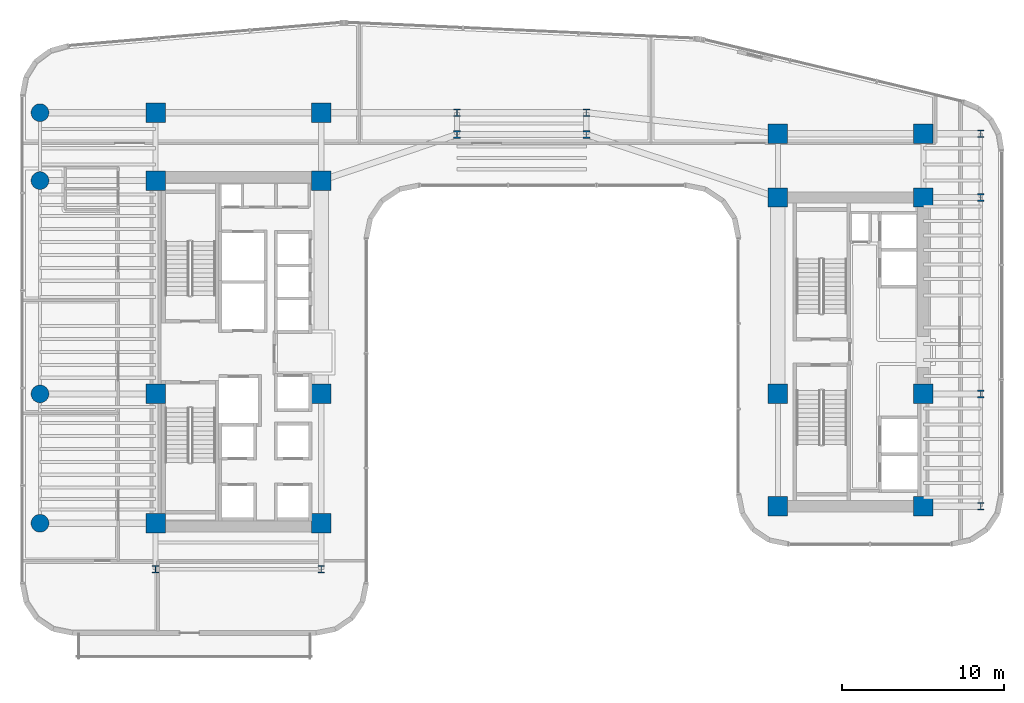
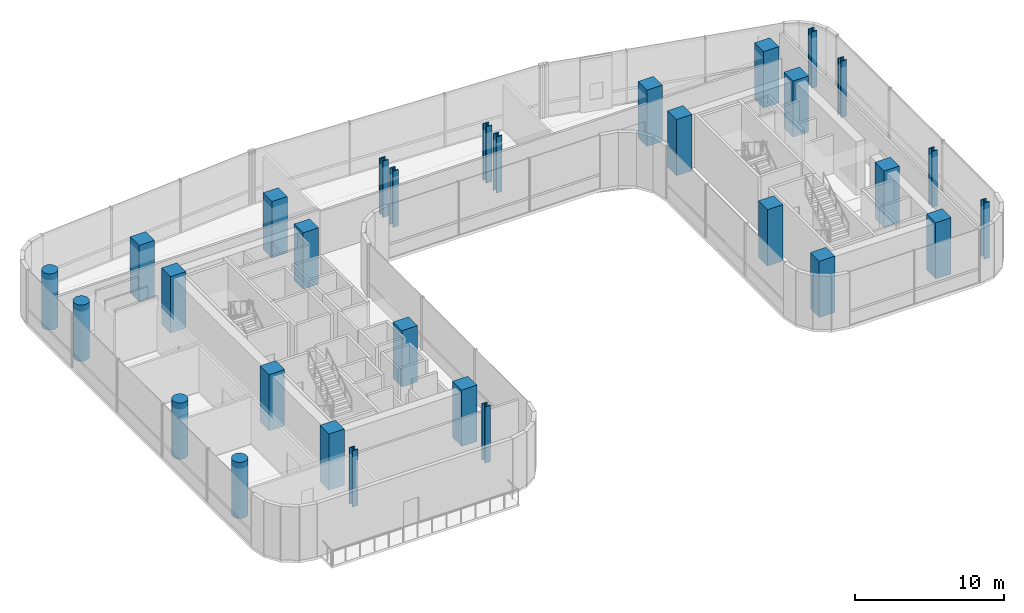
# One storey, part 1 of 32: 30 columns.
"""IFC4 building model written with IfcOpenShell, lengths in metres."""

from ifc_helpers import new_model, si_unit, direction, frame, origin, origin_2d, place, context, subcontext, project, spatial, rectangle, circle, i_section, extrude, source, transform, mapped, material, material_profile, profile_set, type_object, element, save


model = new_model("IFC4")

# Units and contexts
model_context = context("Model", 3, precision=1e-05, world=origin(), true_north=direction((0.0, 1.0)))
body_context = subcontext(model_context, "Body", "Model", "MODEL_VIEW")
ifc_project = project(units=[si_unit("LENGTHUNIT", "METRE"), si_unit("AREAUNIT", "SQUARE_METRE"), si_unit("VOLUMEUNIT", "CUBIC_METRE"), si_unit("PLANEANGLEUNIT", "RADIAN"), si_unit("MASSUNIT", "GRAM", prefix="KILO")], contexts=[model_context])

# Site, building, storey
site_placement = place(None, origin())
site = spatial("IfcSite", under=ifc_project, at=site_placement, CompositionType="ELEMENT")
building_placement = place(site_placement, origin())
building = spatial("IfcBuilding", under=site, at=building_placement, Name="Valdorenza Pilgrim Sanctuary Tower", CompositionType="ELEMENT")
storey_placement = place(building_placement, frame((0.0, 0.0, 101.10009765625)))
storey = spatial("IfcBuildingStorey", under=building, at=storey_placement, Name="L25", CompositionType="ELEMENT", Elevation=101.10009765625)

# Columns
ifc_material_1 = material(Name="Concrete C50/60", Category="concrete")
ifc_material_profile_1 = material_profile(ifc_material_1, circle(Radius=0.550048828125, at=origin_2d()), Name="RC D1100")
ifc_profile_set_1 = profile_set([ifc_material_profile_1], Name="Concrete C50/60")
column_type_1 = type_object("IfcColumnType", Name="COL-RND-1100", PredefinedType="COLUMN", material=ifc_profile_set_1)
shared_shape_1 = source(origin(), body_context, "Body", "SweptSolid", [
    extrude(circle(Radius=0.550048828125, at=origin_2d()), origin(), (0.0, 0.0, 1.0), 4.599853515625),
])
for number, where, z_axis, x_axis, name in (
    (1, (-29.800048828125, -10.60009765625, 0.0), (0.0, 0.0, 1.0), (1.0, 0.0, 0.0), "L25 Perimeter Column WA-W-S1"),
    (2, (-29.800048828125, -2.60009765625, 0.0), (0.0, 0.0, 1.0), (1.0, 0.0, 0.0), "L25 Perimeter Column WA-W-M0"),
    (3, (-29.800048828125, 10.60009765625, 0.0), (0.0, 0.0, 1.0), (1.0, 0.0, 0.0), "L25 Perimeter Column WA-W-N1"),
    (4, (-29.800048828125, 14.800048828125, 0.0), (0.0, 0.0, 1.0), (1.0, 0.0, 0.0), "L25 Perimeter Column WA-W-N2"),
):
    element("IfcColumn", number, at=place(storey_placement, frame(where, z_axis=z_axis, x_axis=x_axis)), inside=storey, type_object=column_type_1, Name=name, PredefinedType="COLUMN", context=body_context, shape_type="MappedRepresentation", body=[
        mapped(shared_shape_1, transform((0.0, 0.0, 0.0), x_axis=(1.0, 0.0, 0.0), y_axis=(0.0, 1.0, 0.0), z_axis=(0.0, 0.0, 1.0), scale=1.0)),
    ])
ifc_material_2 = material(Name="Concrete C60/75", Category="concrete")
ifc_material_profile_2 = material_profile(ifc_material_2, rectangle(XDim=1.199951171875, YDim=1.199951171875, at=origin_2d()), Name="RC 1200x1200")
ifc_profile_set_2 = profile_set([ifc_material_profile_2], Name="Concrete C60/75")
column_type_2 = type_object("IfcColumnType", Name="COL-Z2-1200", PredefinedType="COLUMN", material=ifc_profile_set_2)
shared_shape_2 = source(origin(), body_context, "Body", "SweptSolid", [
    extrude(rectangle(XDim=1.199951171875, YDim=1.199951171875, at=origin_2d()), origin(), (0.0, 0.0, 1.0), 4.599853515625),
])
for number, where, z_axis, x_axis, name in (
    (5, (-22.64990234375, -10.60009765625, 0.0), (0.0, 0.0, 1.0), (1.0, 0.0, 0.0), "L25 Column CA-W-S1"),
    (6, (-12.39990234375, -10.60009765625, 0.0), (0.0, 0.0, 1.0), (1.0, 0.0, 0.0), "L25 Column CA-E-S1"),
    (7, (-22.64990234375, -2.60009765625, 0.0), (0.0, 0.0, 1.0), (1.0, 0.0, 0.0), "L25 Column CA-W-M0"),
    (8, (-12.39990234375, -2.60009765625, 0.0), (0.0, 0.0, 1.0), (1.0, 0.0, 0.0), "L25 Column CA-E-M0"),
    (9, (-22.64990234375, 10.60009765625, 0.0), (0.0, 0.0, 1.0), (1.0, 0.0, 0.0), "L25 Column CA-W-N1"),
    (10, (-12.39990234375, 10.60009765625, 0.0), (0.0, 0.0, 1.0), (1.0, 0.0, 0.0), "L25 Column CA-E-N1"),
    (11, (-22.64990234375, 14.800048828125, 0.0), (0.0, 0.0, 1.0), (1.0, 0.0, 0.0), "L25 Column CA-W-N2"),
    (12, (-12.39990234375, 14.800048828125, 0.0), (0.0, 0.0, 1.0), (1.0, 0.0, 0.0), "L25 Column CA-E-N2"),
    (13, (15.85009765625, -9.550048828125, 0.0), (0.0, 0.0, 1.0), (1.0, 0.0, 0.0), "L25 Column CB-W-S1"),
    (14, (24.85009765625, -9.550048828125, 0.0), (0.0, 0.0, 1.0), (1.0, 0.0, 0.0), "L25 Column CB-E-S1"),
    (15, (15.85009765625, -2.60009765625, 0.0), (0.0, 0.0, 1.0), (1.0, 0.0, 0.0), "L25 Column CB-W-M0"),
    (16, (24.85009765625, -2.60009765625, 0.0), (0.0, 0.0, 1.0), (1.0, 0.0, 0.0), "L25 Column CB-E-M0"),
    (17, (15.85009765625, 9.550048828125, 0.0), (0.0, 0.0, 1.0), (1.0, 0.0, 0.0), "L25 Column CB-W-N1"),
    (18, (24.85009765625, 9.550048828125, 0.0), (0.0, 0.0, 1.0), (1.0, 0.0, 0.0), "L25 Column CB-E-N1"),
    (19, (15.85009765625, 13.5, 0.0), (0.0, 0.0, 1.0), (1.0, 0.0, 0.0), "L25 Column CB-W-N2"),
    (20, (24.85009765625, 13.5, 0.0), (0.0, 0.0, 1.0), (1.0, 0.0, 0.0), "L25 Column CB-E-N2"),
):
    element("IfcColumn", number, at=place(storey_placement, frame(where, z_axis=z_axis, x_axis=x_axis)), inside=storey, type_object=column_type_2, Name=name, PredefinedType="COLUMN", context=body_context, shape_type="MappedRepresentation", body=[
        mapped(shared_shape_2, transform((0.0, 0.0, 0.0), x_axis=(1.0, 0.0, 0.0), y_axis=(0.0, 1.0, 0.0), z_axis=(0.0, 0.0, 1.0), scale=1.0)),
    ])
ifc_material_3 = material(Name="Steel ASTM A992 Grade 50", Category="steel")
ifc_material_profile_3 = material_profile(ifc_material_3, i_section(OverallWidth=0.424072265625, OverallDepth=0.47412109375, WebThickness=0.047607421875, FlangeThickness=0.0771484375, at=origin_2d()), Name="W14X426")
ifc_profile_set_3 = profile_set([ifc_material_profile_3], Name="Steel ASTM A992 Grade 50")
column_type_3 = type_object("IfcColumnType", Name="COL-STL-W426", PredefinedType="COLUMN", material=ifc_profile_set_3)
shared_shape_3 = source(origin(), body_context, "Body", "SweptSolid", [
    extrude(i_section(OverallWidth=0.424072265625, OverallDepth=0.47412109375, WebThickness=0.047607421875, FlangeThickness=0.0771484375, at=origin_2d()), origin(), (0.0, 0.0, 1.0), 4.599853515625),
])
for number, where, z_axis, x_axis, name in (
    (21, (-22.64990234375, -13.449951171875, 0.0), (0.0, 0.0, 1.0), (1.0, 0.0, 0.0), "L25 Column WA-S-W"),
    (22, (-12.39990234375, -13.449951171875, 0.0), (0.0, 0.0, 1.0), (1.0, 0.0, 0.0), "L25 Column WA-S-E"),
    (23, (28.39990234375, -9.550048828125, 0.0), (0.0, 0.0, 1.0), (1.0, 0.0, 0.0), "L25 Perimeter Column WB-E-S1"),
    (24, (28.39990234375, -2.60009765625, 0.0), (0.0, 0.0, 1.0), (1.0, 0.0, 0.0), "L25 Perimeter Column WB-E-M0"),
    (25, (28.39990234375, 9.550048828125, 0.0), (0.0, 0.0, 1.0), (1.0, 0.0, 0.0), "L25 Perimeter Column WB-E-N1"),
    (26, (28.39990234375, 13.5, 0.0), (0.0, 0.0, 1.0), (1.0, 0.0, 0.0), "L25 Perimeter Column WB-E-N2"),
    (27, (-4.0, 13.449951171875, 0.0), (0.0, 0.0, 1.0), (1.0, 0.0, 0.0), "L25 Column KNK-W1"),
    (28, (-4.0, 14.800048828125, 0.0), (0.0, 0.0, 1.0), (1.0, 0.0, 0.0), "L25 Column KNK-W2"),
    (29, (4.0, 13.449951171875, 0.0), (0.0, 0.0, 1.0), (1.0, 0.0, 0.0), "L25 Column KNK-E1"),
    (30, (4.0, 14.800048828125, 0.0), (0.0, 0.0, 1.0), (1.0, 0.0, 0.0), "L25 Column KNK-E2"),
):
    element("IfcColumn", number, at=place(storey_placement, frame(where, z_axis=z_axis, x_axis=x_axis)), inside=storey, type_object=column_type_3, Name=name, PredefinedType="COLUMN", context=body_context, shape_type="MappedRepresentation", body=[
        mapped(shared_shape_3, transform((0.0, 0.0, 0.0), x_axis=(1.0, 0.0, 0.0), y_axis=(0.0, 1.0, 0.0), z_axis=(0.0, 0.0, 1.0), scale=1.0)),
    ])

save(model, "model.ifc")
